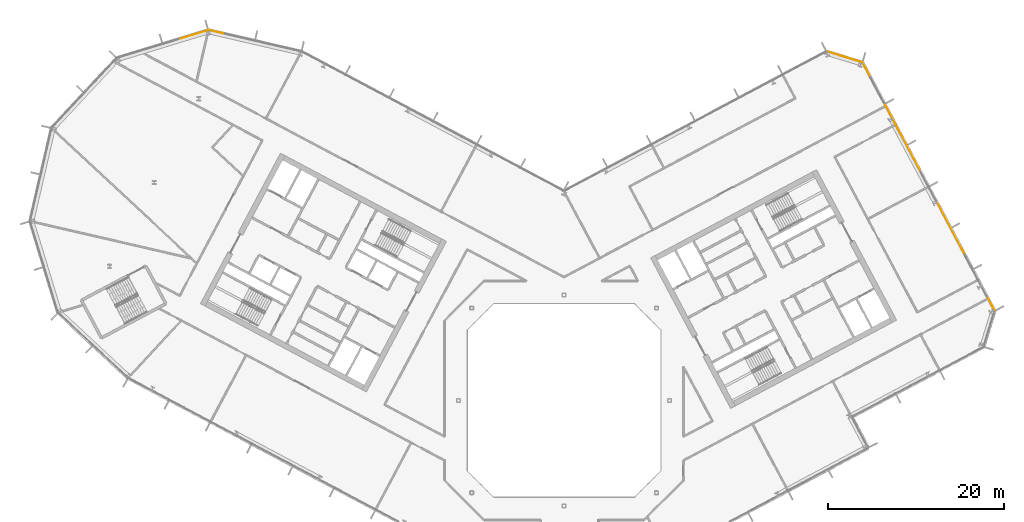
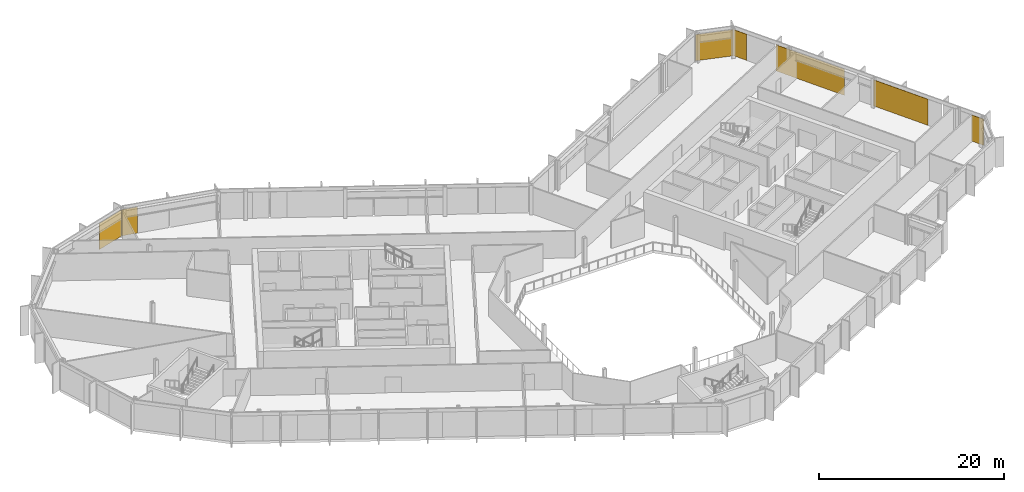
# One storey, part 27 of 27: 7 coverings, 4 elements without a shape of their own.
"""IFC4 building model written with IfcOpenShell, lengths in metres."""

import ifcopenshell
import ifcopenshell.guid

model = None  # the IFC model being written
_history = None  # IfcOwnerHistory: only IFC2X3 demands one
_inside = {}  # id of a spatial element -> (the spatial element, [elements in it])
_under = {}  # id of a project, library or spatial element -> (it, [spatial elements below it])
_declared = {}  # id of a project -> (the project, [libraries it declares])
_typed = {}  # id of a type object -> (the type object, [elements of that type])
_made_of = {}  # id of a material, layer set ... -> (it, [elements and type objects made of it])


def new_model(schema):
    """Start an empty IFC model of exactly this schema.

    Asked for "IFC4X3", IfcOpenShell would pick the latest addendum, in which some entities
    have other attributes; the version numbers below select the first issue.
    IFC2X3 requires an IfcOwnerHistory on every rooted entity: one is made here for all.
    """
    global model, _history
    if schema == "IFC4X3":
        model = ifcopenshell.file(schema_version=(4, 3, 0, 0))
    else:
        model = ifcopenshell.file(schema=schema)
    _inside.clear()
    _under.clear()
    _declared.clear()
    _typed.clear()
    _made_of.clear()
    _history = None
    if model.schema == "IFC2X3":
        org = make("IfcOrganization", Name="unknown")
        user = make(
            "IfcPersonAndOrganization",
            ThePerson=make("IfcPerson", FamilyName="unknown"),
            TheOrganization=org,
        )
        app = make(
            "IfcApplication",
            ApplicationDeveloper=org,
            Version="unknown",
            ApplicationFullName="unknown",
            ApplicationIdentifier="unknown",
        )
        _history = make(
            "IfcOwnerHistory",
            OwningUser=user,
            OwningApplication=app,
            ChangeAction="ADDED",
            CreationDate=0,
        )
    return model


def make(cls, **values):
    """One entity of the class cls with the attributes given. An attribute that is None is left unset."""
    return model.create_entity(
        cls, **{name: value for name, value in values.items() if value is not None}
    )


def rooted(cls, **values):
    """An entity with a GlobalId (a new one), such as an element, a storey or a relation."""
    return make(cls, GlobalId=ifcopenshell.guid.new(), OwnerHistory=_history, **values)


def si_unit(unit_type, name, prefix=None):
    """IfcSIUnit, for example si_unit("LENGTHUNIT", "METRE", prefix="MILLI")."""
    return make("IfcSIUnit", UnitType=unit_type, Prefix=prefix, Name=name)


def assignment(units):
    """IfcUnitAssignment: the units of a project."""
    return None if units is None else make("IfcUnitAssignment", Units=units)


def point(xyz):
    """IfcCartesianPoint."""
    return None if xyz is None else make("IfcCartesianPoint", Coordinates=xyz)


def direction(xyz):
    """IfcDirection."""
    return None if xyz is None else make("IfcDirection", DirectionRatios=xyz)


def frame(location, z_axis=None, x_axis=None):
    """IfcAxis2Placement3D, a coordinate frame: its origin and axes. An axis left out is left unset."""
    return make(
        "IfcAxis2Placement3D",
        Location=point(location),
        Axis=direction(z_axis),
        RefDirection=direction(x_axis),
    )


def frame_2d(location, x_axis=None):
    """IfcAxis2Placement2D, a coordinate frame in the plane: its origin and x axis."""
    return make(
        "IfcAxis2Placement2D", Location=point(location), RefDirection=direction(x_axis)
    )


def origin():
    """The frame at (0, 0, 0) with its axes left unset."""
    return frame((0.0, 0.0, 0.0))


def origin_2d():
    """The frame at (0, 0) in the plane with its x axis left unset."""
    return frame_2d((0.0, 0.0))


def place(relative_to, where):
    """IfcLocalPlacement: puts the frame where relative to a parent placement (None: the world)."""
    return make(
        "IfcLocalPlacement", PlacementRelTo=relative_to, RelativePlacement=where
    )


def context(
    kind, dimensions, precision=None, world=None, true_north=None, identifier=None
):
    """IfcGeometricRepresentationContext, for example the 3D "Model" context."""
    return make(
        "IfcGeometricRepresentationContext",
        ContextIdentifier=identifier,
        ContextType=kind,
        CoordinateSpaceDimension=dimensions,
        Precision=precision,
        WorldCoordinateSystem=world,
        TrueNorth=true_north,
    )


def subcontext(parent, identifier, kind, view, scale=None):
    """IfcGeometricRepresentationSubContext, for example "Body" below "Model"."""
    return make(
        "IfcGeometricRepresentationSubContext",
        ContextIdentifier=identifier,
        ContextType=kind,
        ParentContext=parent,
        TargetScale=scale,
        TargetView=view,
    )


def project(units=None, contexts=None):
    """IfcProject with its units and contexts."""
    return rooted(
        "IfcProject",
        Name="project",
        RepresentationContexts=contexts,
        UnitsInContext=assignment(units),
    )


def spatial(cls, under=None, at=None, **own):
    """A site, building, storey or space (cls), placed at a placement, below another one or the project."""
    s = rooted(cls, ObjectPlacement=at, **own)
    if under is not None:
        _under.setdefault(under.id(), (under, []))[1].append(s)
    return s


def profile(cls, at=None, kind="AREA", **sizes):
    """A parametric profile (cls). Its sizes go by their IFC names, for example OverallWidth=200.0."""
    return make(cls, ProfileType=kind, Position=at, **sizes)


def rectangle(**sizes):
    """IfcRectangleProfileDef."""
    return profile("IfcRectangleProfileDef", **sizes)


def extrude(swept, where, along, depth):
    """IfcExtrudedAreaSolid: the profile swept, set in the frame where, extruded along a direction by depth."""
    return make(
        "IfcExtrudedAreaSolid",
        SweptArea=swept,
        Position=where,
        ExtrudedDirection=direction(along),
        Depth=depth,
    )


def shape(context_of_items, identifier, shape_type, items):
    """IfcShapeRepresentation: the items that make up one representation, for example the "Body"."""
    return make(
        "IfcShapeRepresentation",
        ContextOfItems=context_of_items,
        RepresentationIdentifier=identifier,
        RepresentationType=shape_type,
        Items=items,
    )


def material(Name=None, Category=None):
    """IfcMaterial."""
    return make("IfcMaterial", Name=Name, Category=Category)


def layer(
    of_material, thickness, ventilated=None, Name=None, Category=None, Priority=None
):
    """IfcMaterialLayer: one layer of a wall or slab, of a material (None: an air gap)."""
    return make(
        "IfcMaterialLayer",
        Material=of_material,
        LayerThickness=thickness,
        IsVentilated=ventilated,
        Name=Name,
        Category=Category,
        Priority=Priority,
    )


def layer_set(layers, Name=None):
    """IfcMaterialLayerSet."""
    return make("IfcMaterialLayerSet", MaterialLayers=layers, LayerSetName=Name)


def made_of(thing, what):
    """Note that an element or type object is made of a material, layer set ...; save() writes the relation."""
    if what is not None:
        _made_of.setdefault(what.id(), (what, []))[1].append(thing)
    return thing


def type_object(cls, material=None, **own):
    """A type object (cls), such as IfcWallType, which elements share."""
    return made_of(rooted(cls, **own), material)


def element(
    cls,
    number,
    at=None,
    inside=None,
    cuts=None,
    type_object=None,
    material=None,
    context=None,
    identifier="Body",
    shape_type=None,
    held_by="IfcProductDefinitionShape",
    body=None,
    shapes=None,
    **own,
):
    """One element of the class cls, such as IfcWall. Its Tag is "e" and its number.

    at: its placement. inside: the storey or other place that contains it. cuts: it is an
    opening in that element (IfcRelVoidsElement). A single representation is given by context,
    identifier, shape_type and body (its items); several are given by shapes. held_by: the class
    of the entity that holds the representations. save() writes the other relations.
    """
    e = rooted(cls, Tag="e%d" % number, ObjectPlacement=at, **own)
    if body is not None:
        shapes = [shape(context, identifier, shape_type, body)]
    if shapes is not None:
        e.Representation = make(held_by, Representations=shapes)
    if inside is not None:
        _inside.setdefault(inside.id(), (inside, []))[1].append(e)
    if cuts is not None:
        rooted(
            "IfcRelVoidsElement", RelatingBuildingElement=cuts, RelatedOpeningElement=e
        )
    if type_object is not None:
        _typed.setdefault(type_object.id(), (type_object, []))[1].append(e)
    return made_of(e, material)


def aggregate(whole, parts):
    """IfcRelAggregates: a whole, such as a stair, and the parts it consists of."""
    return rooted("IfcRelAggregates", RelatingObject=whole, RelatedObjects=parts)


def save(model, path):
    """Write the relations noted so far, then the file.

    IfcRelAggregates (storeys below a building ...), IfcRelContainedInSpatialStructure (elements
    in a storey), IfcRelDefinesByType, IfcRelAssociatesMaterial and IfcRelDeclares: one each for
    every whole, place, type object, material and project.
    """
    for whole, parts in _under.values():
        aggregate(whole, parts)
    for where, things in _inside.values():
        rooted(
            "IfcRelContainedInSpatialStructure",
            RelatedElements=things,
            RelatingStructure=where,
        )
    for kind, things in _typed.values():
        rooted("IfcRelDefinesByType", RelatedObjects=things, RelatingType=kind)
    for what, things in _made_of.values():
        rooted("IfcRelAssociatesMaterial", RelatedObjects=things, RelatingMaterial=what)
    for by, libraries in _declared.values():
        rooted("IfcRelDeclares", RelatingContext=by, RelatedDefinitions=libraries)
    model.write(path)


model = new_model("IFC4")

# Units and contexts
model_context = context("Model", 3, precision=1e-05, world=origin(), true_north=direction((0.0, 1.0)))
body_context = subcontext(model_context, "Body", "Model", "MODEL_VIEW")
ifc_project = project(units=[si_unit("LENGTHUNIT", "METRE"), si_unit("AREAUNIT", "SQUARE_METRE"), si_unit("VOLUMEUNIT", "CUBIC_METRE"), si_unit("PLANEANGLEUNIT", "RADIAN"), si_unit("MASSUNIT", "GRAM", prefix="KILO")], contexts=[model_context])

# Site, building, storey
site_placement = place(None, origin())
site = spatial("IfcSite", under=ifc_project, at=site_placement, CompositionType="ELEMENT")
building_placement = place(site_placement, origin())
building = spatial("IfcBuilding", under=site, at=building_placement, Name="Cormorant Relay Tower", CompositionType="ELEMENT")
storey_placement = place(building_placement, frame((0.0, 0.0, 240.300048828125)))
storey = spatial("IfcBuildingStorey", under=building, at=storey_placement, Name="L53", CompositionType="ELEMENT", Elevation=240.300048828125)

# Curtain wall, coverings
ifc_material_1 = material(Name="Aluminium 6063-T6 anodised bronze", Category="aluminium")
ifc_layer_1 = layer(ifc_material_1, 0.199951171875)
ifc_layer_set_1 = layer_set([ifc_layer_1], Name="CW1 unitised bronze curtain wall with vertical fins")
curtain_wall_type = type_object("IfcCurtainWallType", Name="CW1 unitised bronze curtain wall with vertical fins", PredefinedType="NOTDEFINED", material=ifc_layer_set_1)
curtain_wall_1_placement = place(storey_placement, origin())
curtain_wall_1 = element("IfcCurtainWall", 1, at=curtain_wall_1_placement, inside=storey, type_object=curtain_wall_type, Name="CW1 curtain wall 6", PredefinedType="NOTDEFINED")
ifc_material_2 = material(Name="Pale bronze anodised aluminium insulated panel", Category="aluminium")
ifc_layer_2 = layer(ifc_material_2, 0.0400390625)
ifc_layer_set_2 = layer_set([ifc_layer_2], Name="CW1 pale bronze insulated panel 40")
covering_type = type_object("IfcCoveringType", Name="CW1 pale bronze insulated panel 40", PredefinedType="CLADDING", material=ifc_layer_set_2)
covering_1_placement = place(storey_placement, frame((48.56494140625, 10.947998046875, 0.0), z_axis=(0.0, 0.0, 1.0), x_axis=(-0.469471562786, 0.882947592859, 0.0)))
covering_1 = element("IfcCovering", 2, at=covering_1_placement, type_object=covering_type, Name="CW1 panel S00", PredefinedType="CLADDING", context=body_context, shape_type="SweptSolid", body=[
    extrude(rectangle(XDim=1.583251953125, YDim=0.0400390625, at=origin_2d()), origin(), (0.0, 0.0, 1.0), 3.449951171875),
])
covering_2_placement = place(storey_placement, frame((43.964111328125, 19.600830078125, 0.0), z_axis=(0.0, 0.0, 1.0), x_axis=(-0.469471562786, 0.882947592859, 0.0)))
covering_2 = element("IfcCovering", 3, at=covering_2_placement, type_object=covering_type, Name="CW1 panel S03", PredefinedType="CLADDING", context=body_context, shape_type="SweptSolid", body=[
    extrude(rectangle(XDim=6.916748046875, YDim=0.0400390625, at=origin_2d()), origin(), (0.0, 0.0, 1.0), 3.449951171875),
])
covering_3_placement = place(storey_placement, frame((38.53369140625, 29.813720703125, 0.0), z_axis=(0.0, 0.0, 1.0), x_axis=(-0.469471562786, 0.882947592859, 0.0)))
covering_3 = element("IfcCovering", 4, at=covering_3_placement, type_object=covering_type, Name="CW1 panel S06", PredefinedType="CLADDING", context=body_context, shape_type="SweptSolid", body=[
    extrude(rectangle(XDim=8.716796875, YDim=0.0400390625, at=origin_2d()), origin(), (0.0, 0.0, 1.0), 3.449951171875),
])
covering_4_placement = place(storey_placement, frame((34.337890625, 37.705078125, 0.0), z_axis=(0.0, 0.0, 1.0), x_axis=(-0.469471562786, 0.882947592859, 0.0)))
covering_4 = element("IfcCovering", 5, at=covering_4_placement, type_object=covering_type, Name="CW1 panel S08", PredefinedType="CLADDING", context=body_context, shape_type="SweptSolid", body=[
    extrude(rectangle(XDim=1.658203125, YDim=0.0400390625, at=origin_2d()), origin(), (0.0, 0.0, 1.0), 3.449951171875),
])
aggregate(curtain_wall_1, [covering_1, covering_2, covering_3, covering_4])

# Curtain wall, covering
curtain_wall_2_placement = place(storey_placement, origin())
curtain_wall_2 = element("IfcCurtainWall", 6, at=curtain_wall_2_placement, inside=storey, type_object=curtain_wall_type, Name="CW1 curtain wall 7", PredefinedType="NOTDEFINED")
covering_5_placement = place(storey_placement, frame((31.872314453125, 39.077880859375, 0.0), z_axis=(0.0, 0.0, 1.0), x_axis=(-0.956304755963, 0.292371704723, 0.0)))
covering_5 = element("IfcCovering", 7, at=covering_5_placement, type_object=covering_type, Name="CW1 panel S00", PredefinedType="CLADDING", context=body_context, shape_type="SweptSolid", body=[
    extrude(rectangle(XDim=4.16748046875, YDim=0.0400390625, at=origin_2d()), origin(), (0.0, 0.0, 1.0), 3.449951171875),
])
aggregate(curtain_wall_2, [covering_5])

curtain_wall_3_placement = place(storey_placement, origin())
curtain_wall_3 = element("IfcCurtainWall", 8, at=curtain_wall_3_placement, inside=storey, type_object=curtain_wall_type, Name="CW1 curtain wall 10", PredefinedType="NOTDEFINED")
covering_6_placement = place(storey_placement, frame((-39.603515625, 41.934814453125, 0.0), z_axis=(0.0, 0.0, 1.0), x_axis=(-0.974370064785, 0.224951054344, 0.0)))
covering_6 = element("IfcCovering", 9, at=covering_6_placement, type_object=covering_type, Name="CW1 panel S02", PredefinedType="CLADDING", context=body_context, shape_type="SweptSolid", body=[
    extrude(rectangle(XDim=1.76025390625, YDim=0.0400390625, at=origin_2d()), origin(), (0.0, 0.0, 1.0), 3.449951171875),
])
aggregate(curtain_wall_3, [covering_6])

curtain_wall_4_placement = place(storey_placement, origin())
curtain_wall_4 = element("IfcCurtainWall", 10, at=curtain_wall_4_placement, inside=storey, type_object=curtain_wall_type, Name="CW1 curtain wall 11", PredefinedType="NOTDEFINED")
covering_7_placement = place(storey_placement, frame((-42.209716796875, 41.60107421875, 0.0), z_axis=(0.0, 0.0, 1.0), x_axis=(-0.956304755963, -0.292371704723, 0.0)))
covering_7 = element("IfcCovering", 11, at=covering_7_placement, type_object=covering_type, Name="CW1 panel S00", PredefinedType="CLADDING", context=body_context, shape_type="SweptSolid", body=[
    extrude(rectangle(XDim=3.485107421875, YDim=0.0400390625, at=origin_2d()), origin(), (0.0, 0.0, 1.0), 3.449951171875),
])
aggregate(curtain_wall_4, [covering_7])

save(model, "model.ifc")
